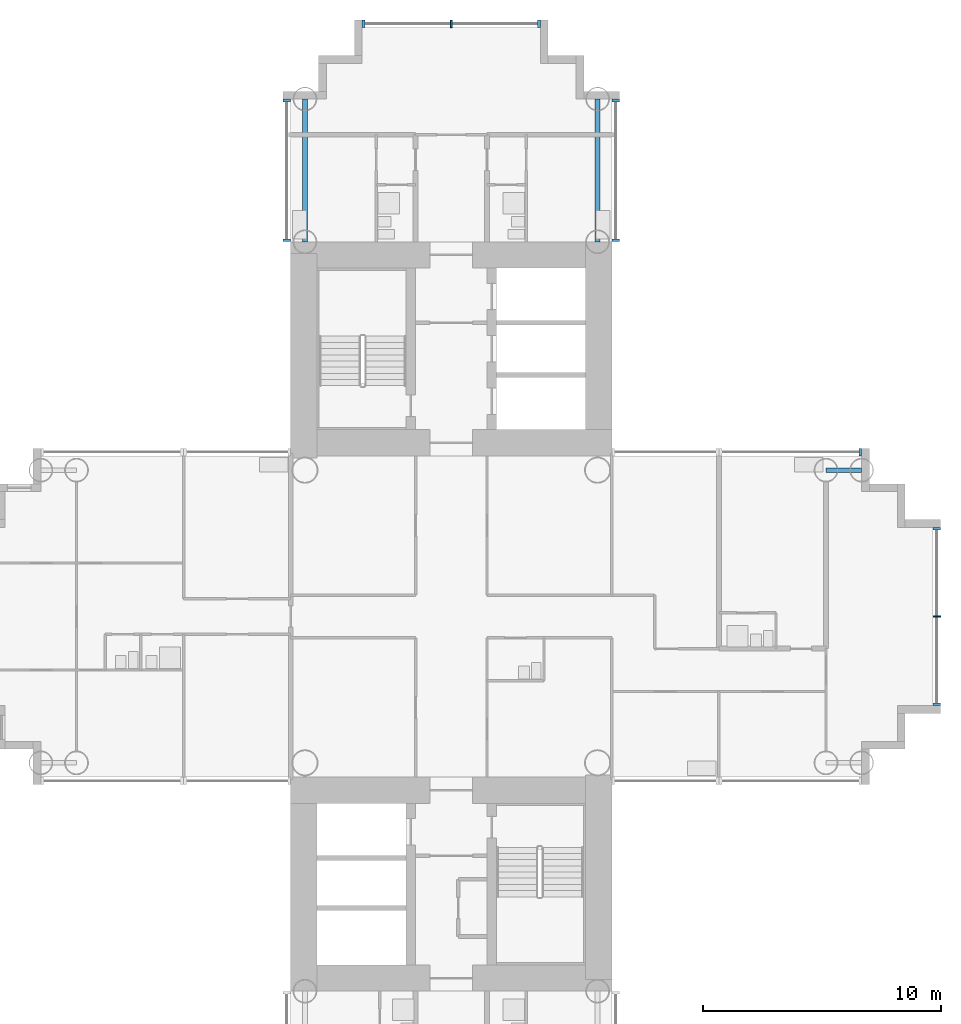
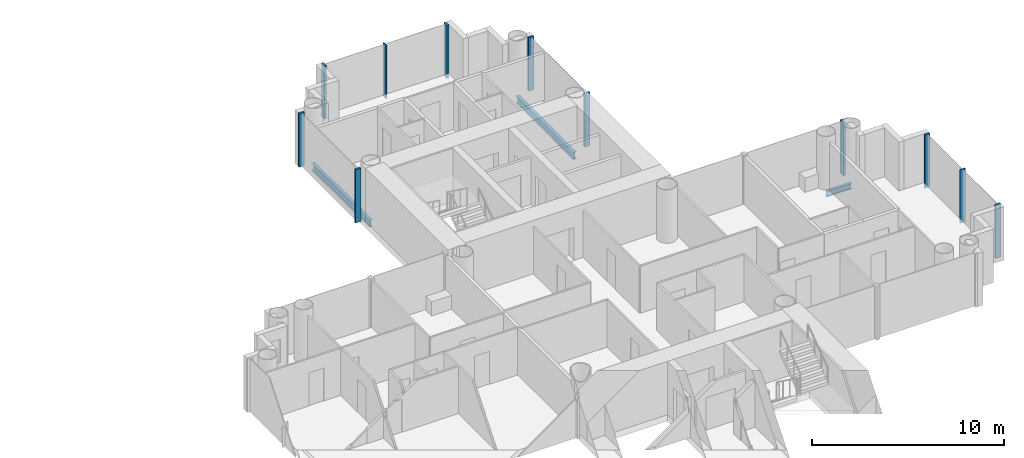
# One storey, part 6 of 21: 11 members, 3 beams, 5 elements without a shape of their own.
"""IFC4 building model written with IfcOpenShell, lengths in metres."""

from ifc_helpers import new_model, si_unit, direction, frame, origin, origin_2d, place, context, subcontext, project, spatial, rectangle, i_section, extrude, material, layer, layer_set, material_profile, profile_set, type_object, element, aggregate, save


model = new_model("IFC4")

# Units and contexts
model_context = context("Model", 3, precision=1e-05, world=origin(), true_north=direction((0.0, 1.0)))
body_context = subcontext(model_context, "Body", "Model", "MODEL_VIEW")
ifc_project = project(units=[si_unit("LENGTHUNIT", "METRE"), si_unit("AREAUNIT", "SQUARE_METRE"), si_unit("VOLUMEUNIT", "CUBIC_METRE"), si_unit("PLANEANGLEUNIT", "RADIAN"), si_unit("MASSUNIT", "GRAM", prefix="KILO")], contexts=[model_context])

# Site, building, storey
site_placement = place(None, origin())
site = spatial("IfcSite", under=ifc_project, at=site_placement, CompositionType="ELEMENT")
building_placement = place(site_placement, origin())
building = spatial("IfcBuilding", under=site, at=building_placement, Name="Ipe Terrace Towers", CompositionType="ELEMENT")
storey_placement = place(building_placement, frame((0.0, 0.0, 27.89990234375)))
storey = spatial("IfcBuildingStorey", under=building, at=storey_placement, Name="L06", CompositionType="ELEMENT", Elevation=27.89990234375)

# Beams
ifc_material_1 = material(Name="Steel S355", Category="steel")
ifc_material_profile_1 = material_profile(ifc_material_1, i_section(OverallWidth=0.175048828125, OverallDepth=0.35009765625, WebThickness=0.007080078125, FlangeThickness=0.010986328125, at=origin_2d()), Name="H-350x175x7x11")
ifc_profile_set_1 = profile_set([ifc_material_profile_1], Name="Steel S355")
beam_type_1 = type_object("IfcBeamType", Name="H04 EDGE BEAM H-350x175x7x11", PredefinedType="BEAM", material=ifc_profile_set_1)
beam_placement = place(storey_placement, frame((51.75, 6.14990234375, -0.574951171875), z_axis=(1.0, 0.0, 0.0), x_axis=(0.0, 1.0, 0.0)))
element("IfcBeam", 1, at=beam_placement, inside=storey, type_object=beam_type_1, Name="Edge beam T2-EB-D04-D06", PredefinedType="BEAM", context=body_context, shape_type="SweptSolid", body=[
    extrude(i_section(OverallWidth=0.175048828125, OverallDepth=0.35009765625, WebThickness=0.007080078125, FlangeThickness=0.010986328125, at=origin_2d()), origin(), (0.0, 0.0, 1.0), 1.5),
])
ifc_material_2 = material(Name="Steel S355", Category="steel")
ifc_material_profile_2 = material_profile(ifc_material_2, i_section(OverallWidth=0.199951171875, OverallDepth=0.449951171875, WebThickness=0.009033203125, FlangeThickness=0.013916015625, at=origin_2d()), Name="H-450x200x9x14")
ifc_profile_set_2 = profile_set([ifc_material_profile_2], Name="Steel S355")
beam_type_2 = type_object("IfcBeamType", Name="H08 EDGE BEAM H-450x200x9x14", PredefinedType="BEAM", material=ifc_profile_set_2)
for number, where, z_axis, x_axis, name in (
    (2, (42.14990234375, 15.75, -0.625), (0.0, 1.0, 0.0), (-1.0, 0.0, 0.0), "Edge beam T2-EB-A01-A03"),
    (3, (29.85009765625, 15.75, -0.625), (0.0, 1.0, 0.0), (-1.0, 0.0, 0.0), "Edge beam T2-EB-A02-A04"),
):
    element("IfcBeam", number, at=place(storey_placement, frame(where, z_axis=z_axis, x_axis=x_axis)), inside=storey, type_object=beam_type_2, Name=name, PredefinedType="BEAM", context=body_context, shape_type="SweptSolid", body=[
        extrude(i_section(OverallWidth=0.199951171875, OverallDepth=0.449951171875, WebThickness=0.009033203125, FlangeThickness=0.013916015625, at=origin_2d()), origin(), (0.0, 0.0, 1.0), 6.0),
    ])

# Curtain wall, members
ifc_material_3 = material(Name="Aluminium alloy 6063-T6", Category="aluminium")
ifc_layer = layer(ifc_material_3, 0.320068359375)
ifc_layer_set = layer_set([ifc_layer], Name="TOWER UNITISED CURTAIN WALL")
curtain_wall_type = type_object("IfcCurtainWallType", Name="TOWER UNITISED CURTAIN WALL", PredefinedType="NOTDEFINED", material=ifc_layer_set)
curtain_wall_1_placement = place(storey_placement, origin())
curtain_wall_1 = element("IfcCurtainWall", 4, at=curtain_wall_1_placement, inside=storey, type_object=curtain_wall_type, Name="T2-CW-L06-12a curtain wall", PredefinedType="NOTDEFINED")
ifc_material_4 = material(Name="Aluminium alloy 6063-T6", Category="aluminium")
ifc_material_profile_3 = material_profile(ifc_material_4, rectangle(XDim=0.320068359375, YDim=0.1201171875, at=origin_2d()), Name="TOWER UNITISED CORNER MULLION 320 x 120")
ifc_profile_set_3 = profile_set([ifc_material_profile_3], Name="Aluminium alloy 6063-T6")
member_type_1 = type_object("IfcMemberType", Name="TOWER UNITISED CORNER MULLION 320 x 120", PredefinedType="MULLION", material=ifc_profile_set_3)
member_1_placement = place(storey_placement, frame((56.409912109375, -3.68994140625, -0.2998046875), z_axis=(0.0, 0.0, 1.0), x_axis=(1.0, 0.0, 0.0)))
member_1 = element("IfcMember", 5, at=member_1_placement, type_object=member_type_1, Name="T2-CW-L06-12a mullion 1", PredefinedType="MULLION", context=body_context, shape_type="SweptSolid", body=[
    extrude(rectangle(XDim=0.320068359375, YDim=0.1201171875, at=origin_2d()), origin(), (0.0, 0.0, 1.0), 3.39990234375),
])
member_2_placement = place(storey_placement, frame((56.409912109375, 3.68994140625, -0.2998046875), z_axis=(0.0, 0.0, 1.0), x_axis=(1.0, 0.0, 0.0)))
member_2 = element("IfcMember", 6, at=member_2_placement, type_object=member_type_1, Name="T2-CW-L06-12a mullion 3", PredefinedType="MULLION", context=body_context, shape_type="SweptSolid", body=[
    extrude(rectangle(XDim=0.320068359375, YDim=0.1201171875, at=origin_2d()), origin(), (0.0, 0.0, 1.0), 3.39990234375),
])

# Curtain wall, member
curtain_wall_2_placement = place(storey_placement, origin())
curtain_wall_2 = element("IfcCurtainWall", 7, at=curtain_wall_2_placement, inside=storey, type_object=curtain_wall_type, Name="T2-CW-L06-17a curtain wall", PredefinedType="NOTDEFINED")
member_3_placement = place(storey_placement, frame((53.18994140625, 6.909912109375, -0.2998046875), z_axis=(0.0, 0.0, 1.0), x_axis=(0.0, 1.0, 0.0)))
member_3 = element("IfcMember", 8, at=member_3_placement, type_object=member_type_1, Name="T2-CW-L06-17a mullion 1", PredefinedType="MULLION", context=body_context, shape_type="SweptSolid", body=[
    extrude(rectangle(XDim=0.320068359375, YDim=0.1201171875, at=origin_2d()), origin(), (0.0, 0.0, 1.0), 3.39990234375),
])
aggregate(curtain_wall_2, [member_3])

# Curtain wall, members
curtain_wall_3_placement = place(storey_placement, origin())
curtain_wall_3 = element("IfcCurtainWall", 9, at=curtain_wall_3_placement, inside=storey, type_object=curtain_wall_type, Name="T2-CW-L06-20b curtain wall", PredefinedType="NOTDEFINED")
member_4_placement = place(storey_placement, frame((42.909912109375, 15.81103515625, -0.2998046875), z_axis=(0.0, 0.0, 1.0), x_axis=(1.0, 0.0, 0.0)))
member_4 = element("IfcMember", 10, at=member_4_placement, type_object=member_type_1, Name="T2-CW-L06-20b mullion 1", PredefinedType="MULLION", context=body_context, shape_type="SweptSolid", body=[
    extrude(rectangle(XDim=0.320068359375, YDim=0.1201171875, at=origin_2d()), origin(), (0.0, 0.0, 1.0), 3.39990234375),
])
member_5_placement = place(storey_placement, frame((42.909912109375, 21.68994140625, -0.2998046875), z_axis=(0.0, 0.0, 1.0), x_axis=(1.0, 0.0, 0.0)))
member_5 = element("IfcMember", 11, at=member_5_placement, type_object=member_type_1, Name="T2-CW-L06-20b mullion 2", PredefinedType="MULLION", context=body_context, shape_type="SweptSolid", body=[
    extrude(rectangle(XDim=0.320068359375, YDim=0.1201171875, at=origin_2d()), origin(), (0.0, 0.0, 1.0), 3.39990234375),
])
aggregate(curtain_wall_3, [member_4, member_5])

curtain_wall_4_placement = place(storey_placement, origin())
curtain_wall_4 = element("IfcCurtainWall", 12, at=curtain_wall_4_placement, inside=storey, type_object=curtain_wall_type, Name="T2-CW-L06-25a curtain wall", PredefinedType="NOTDEFINED")
member_6_placement = place(storey_placement, frame((39.68994140625, 24.909912109375, -0.2998046875), z_axis=(0.0, 0.0, 1.0), x_axis=(0.0, 1.0, 0.0)))
member_6 = element("IfcMember", 13, at=member_6_placement, type_object=member_type_1, Name="T2-CW-L06-25a mullion 1", PredefinedType="MULLION", context=body_context, shape_type="SweptSolid", body=[
    extrude(rectangle(XDim=0.320068359375, YDim=0.1201171875, at=origin_2d()), origin(), (0.0, 0.0, 1.0), 3.39990234375),
])
member_7_placement = place(storey_placement, frame((32.31005859375, 24.909912109375, -0.2998046875), z_axis=(0.0, 0.0, 1.0), x_axis=(0.0, 1.0, 0.0)))
member_7 = element("IfcMember", 14, at=member_7_placement, type_object=member_type_1, Name="T2-CW-L06-25a mullion 3", PredefinedType="MULLION", context=body_context, shape_type="SweptSolid", body=[
    extrude(rectangle(XDim=0.320068359375, YDim=0.1201171875, at=origin_2d()), origin(), (0.0, 0.0, 1.0), 3.39990234375),
])

curtain_wall_5_placement = place(storey_placement, origin())
curtain_wall_5 = element("IfcCurtainWall", 15, at=curtain_wall_5_placement, inside=storey, type_object=curtain_wall_type, Name="T2-CW-L06-30a curtain wall", PredefinedType="NOTDEFINED")
member_8_placement = place(storey_placement, frame((29.090087890625, 21.68994140625, -0.2998046875), z_axis=(0.0, 0.0, 1.0), x_axis=(-1.0, 0.0, 0.0)))
member_8 = element("IfcMember", 16, at=member_8_placement, type_object=member_type_1, Name="T2-CW-L06-30a mullion 1", PredefinedType="MULLION", context=body_context, shape_type="SweptSolid", body=[
    extrude(rectangle(XDim=0.320068359375, YDim=0.1201171875, at=origin_2d()), origin(), (0.0, 0.0, 1.0), 3.39990234375),
])
member_9_placement = place(storey_placement, frame((29.090087890625, 15.81103515625, -0.2998046875), z_axis=(0.0, 0.0, 1.0), x_axis=(-1.0, 0.0, 0.0)))
member_9 = element("IfcMember", 17, at=member_9_placement, type_object=member_type_1, Name="T2-CW-L06-30a mullion 2", PredefinedType="MULLION", context=body_context, shape_type="SweptSolid", body=[
    extrude(rectangle(XDim=0.320068359375, YDim=0.1201171875, at=origin_2d()), origin(), (0.0, 0.0, 1.0), 3.39990234375),
])
aggregate(curtain_wall_5, [member_8, member_9])

# Member
ifc_material_5 = material(Name="Aluminium alloy 6063-T6", Category="aluminium")
ifc_material_profile_4 = material_profile(ifc_material_5, rectangle(XDim=0.320068359375, YDim=0.06494140625, at=origin_2d()), Name="TOWER UNITISED MULLION 320 x 65")
ifc_profile_set_4 = profile_set([ifc_material_profile_4], Name="Aluminium alloy 6063-T6")
member_type_2 = type_object("IfcMemberType", Name="TOWER UNITISED MULLION 320 x 65", PredefinedType="MULLION", material=ifc_profile_set_4)
member_10_placement = place(storey_placement, frame((56.409912109375, 0.0, -0.2998046875), z_axis=(0.0, 0.0, 1.0), x_axis=(1.0, 0.0, 0.0)))
member_10 = element("IfcMember", 18, at=member_10_placement, type_object=member_type_2, Name="T2-CW-L06-12a mullion 2", PredefinedType="MULLION", context=body_context, shape_type="SweptSolid", body=[
    extrude(rectangle(XDim=0.320068359375, YDim=0.06494140625, at=origin_2d()), origin(), (0.0, 0.0, 1.0), 3.39990234375),
])

aggregate(curtain_wall_1, [member_1, member_10, member_2])

member_11_placement = place(storey_placement, frame((36.0, 24.909912109375, -0.2998046875), z_axis=(0.0, 0.0, 1.0), x_axis=(0.0, 1.0, 0.0)))
member_11 = element("IfcMember", 19, at=member_11_placement, type_object=member_type_2, Name="T2-CW-L06-25a mullion 2", PredefinedType="MULLION", context=body_context, shape_type="SweptSolid", body=[
    extrude(rectangle(XDim=0.320068359375, YDim=0.06494140625, at=origin_2d()), origin(), (0.0, 0.0, 1.0), 3.39990234375),
])

aggregate(curtain_wall_4, [member_6, member_11, member_7])

save(model, "model.ifc")
